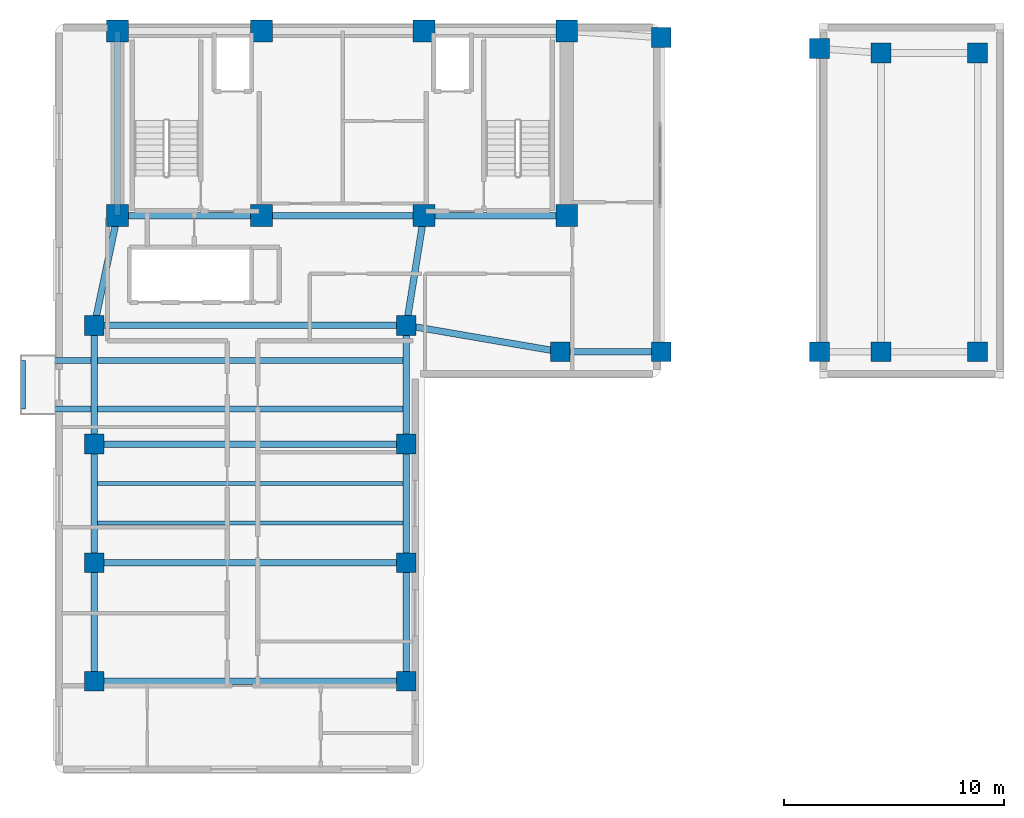
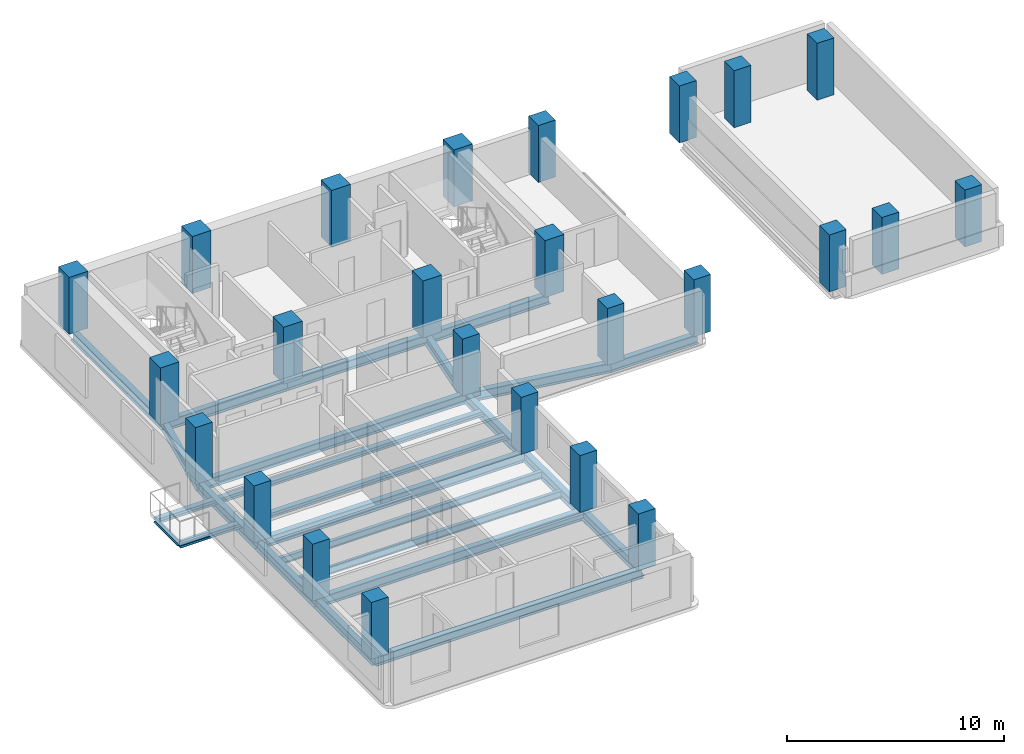
# One storey, part 1 of 10: 25 columns, 23 beams.
"""IFC4 building model written with IfcOpenShell, lengths in metres."""

import ifcopenshell
import ifcopenshell.guid

model = None  # the IFC model being written
_history = None  # IfcOwnerHistory: only IFC2X3 demands one
_inside = {}  # id of a spatial element -> (the spatial element, [elements in it])
_under = {}  # id of a project, library or spatial element -> (it, [spatial elements below it])
_declared = {}  # id of a project -> (the project, [libraries it declares])
_typed = {}  # id of a type object -> (the type object, [elements of that type])
_made_of = {}  # id of a material, layer set ... -> (it, [elements and type objects made of it])


def new_model(schema):
    """Start an empty IFC model of exactly this schema.

    Asked for "IFC4X3", IfcOpenShell would pick the latest addendum, in which some entities
    have other attributes; the version numbers below select the first issue.
    IFC2X3 requires an IfcOwnerHistory on every rooted entity: one is made here for all.
    """
    global model, _history
    if schema == "IFC4X3":
        model = ifcopenshell.file(schema_version=(4, 3, 0, 0))
    else:
        model = ifcopenshell.file(schema=schema)
    _inside.clear()
    _under.clear()
    _declared.clear()
    _typed.clear()
    _made_of.clear()
    _history = None
    if model.schema == "IFC2X3":
        org = make("IfcOrganization", Name="unknown")
        user = make(
            "IfcPersonAndOrganization",
            ThePerson=make("IfcPerson", FamilyName="unknown"),
            TheOrganization=org,
        )
        app = make(
            "IfcApplication",
            ApplicationDeveloper=org,
            Version="unknown",
            ApplicationFullName="unknown",
            ApplicationIdentifier="unknown",
        )
        _history = make(
            "IfcOwnerHistory",
            OwningUser=user,
            OwningApplication=app,
            ChangeAction="ADDED",
            CreationDate=0,
        )
    return model


def make(cls, **values):
    """One entity of the class cls with the attributes given. An attribute that is None is left unset."""
    return model.create_entity(
        cls, **{name: value for name, value in values.items() if value is not None}
    )


def rooted(cls, **values):
    """An entity with a GlobalId (a new one), such as an element, a storey or a relation."""
    return make(cls, GlobalId=ifcopenshell.guid.new(), OwnerHistory=_history, **values)


def si_unit(unit_type, name, prefix=None):
    """IfcSIUnit, for example si_unit("LENGTHUNIT", "METRE", prefix="MILLI")."""
    return make("IfcSIUnit", UnitType=unit_type, Prefix=prefix, Name=name)


def assignment(units):
    """IfcUnitAssignment: the units of a project."""
    return None if units is None else make("IfcUnitAssignment", Units=units)


def point(xyz):
    """IfcCartesianPoint."""
    return None if xyz is None else make("IfcCartesianPoint", Coordinates=xyz)


def direction(xyz):
    """IfcDirection."""
    return None if xyz is None else make("IfcDirection", DirectionRatios=xyz)


def frame(location, z_axis=None, x_axis=None):
    """IfcAxis2Placement3D, a coordinate frame: its origin and axes. An axis left out is left unset."""
    return make(
        "IfcAxis2Placement3D",
        Location=point(location),
        Axis=direction(z_axis),
        RefDirection=direction(x_axis),
    )


def frame_2d(location, x_axis=None):
    """IfcAxis2Placement2D, a coordinate frame in the plane: its origin and x axis."""
    return make(
        "IfcAxis2Placement2D", Location=point(location), RefDirection=direction(x_axis)
    )


def origin():
    """The frame at (0, 0, 0) with its axes left unset."""
    return frame((0.0, 0.0, 0.0))


def origin_2d():
    """The frame at (0, 0) in the plane with its x axis left unset."""
    return frame_2d((0.0, 0.0))


def place(relative_to, where):
    """IfcLocalPlacement: puts the frame where relative to a parent placement (None: the world)."""
    return make(
        "IfcLocalPlacement", PlacementRelTo=relative_to, RelativePlacement=where
    )


def context(
    kind, dimensions, precision=None, world=None, true_north=None, identifier=None
):
    """IfcGeometricRepresentationContext, for example the 3D "Model" context."""
    return make(
        "IfcGeometricRepresentationContext",
        ContextIdentifier=identifier,
        ContextType=kind,
        CoordinateSpaceDimension=dimensions,
        Precision=precision,
        WorldCoordinateSystem=world,
        TrueNorth=true_north,
    )


def subcontext(parent, identifier, kind, view, scale=None):
    """IfcGeometricRepresentationSubContext, for example "Body" below "Model"."""
    return make(
        "IfcGeometricRepresentationSubContext",
        ContextIdentifier=identifier,
        ContextType=kind,
        ParentContext=parent,
        TargetScale=scale,
        TargetView=view,
    )


def project(units=None, contexts=None):
    """IfcProject with its units and contexts."""
    return rooted(
        "IfcProject",
        Name="project",
        RepresentationContexts=contexts,
        UnitsInContext=assignment(units),
    )


def spatial(cls, under=None, at=None, **own):
    """A site, building, storey or space (cls), placed at a placement, below another one or the project."""
    s = rooted(cls, ObjectPlacement=at, **own)
    if under is not None:
        _under.setdefault(under.id(), (under, []))[1].append(s)
    return s


def profile(cls, at=None, kind="AREA", **sizes):
    """A parametric profile (cls). Its sizes go by their IFC names, for example OverallWidth=200.0."""
    return make(cls, ProfileType=kind, Position=at, **sizes)


def rectangle(**sizes):
    """IfcRectangleProfileDef."""
    return profile("IfcRectangleProfileDef", **sizes)


def i_section(**sizes):
    """IfcIShapeProfileDef."""
    return profile("IfcIShapeProfileDef", **sizes)


def extrude(swept, where, along, depth):
    """IfcExtrudedAreaSolid: the profile swept, set in the frame where, extruded along a direction by depth."""
    return make(
        "IfcExtrudedAreaSolid",
        SweptArea=swept,
        Position=where,
        ExtrudedDirection=direction(along),
        Depth=depth,
    )


def shape(context_of_items, identifier, shape_type, items):
    """IfcShapeRepresentation: the items that make up one representation, for example the "Body"."""
    return make(
        "IfcShapeRepresentation",
        ContextOfItems=context_of_items,
        RepresentationIdentifier=identifier,
        RepresentationType=shape_type,
        Items=items,
    )


def material(Name=None, Category=None):
    """IfcMaterial."""
    return make("IfcMaterial", Name=Name, Category=Category)


def material_profile(
    of_material, cross_section, Name=None, Category=None, Priority=None
):
    """IfcMaterialProfile: a cross section and its material."""
    return make(
        "IfcMaterialProfile",
        Name=Name,
        Material=of_material,
        Profile=cross_section,
        Priority=Priority,
        Category=Category,
    )


def profile_set(profiles, Name=None, composite=None):
    """IfcMaterialProfileSet."""
    return make(
        "IfcMaterialProfileSet",
        Name=Name,
        MaterialProfiles=profiles,
        CompositeProfile=composite,
    )


def made_of(thing, what):
    """Note that an element or type object is made of a material, layer set ...; save() writes the relation."""
    if what is not None:
        _made_of.setdefault(what.id(), (what, []))[1].append(thing)
    return thing


def type_object(cls, material=None, **own):
    """A type object (cls), such as IfcWallType, which elements share."""
    return made_of(rooted(cls, **own), material)


def element(
    cls,
    number,
    at=None,
    inside=None,
    cuts=None,
    type_object=None,
    material=None,
    context=None,
    identifier="Body",
    shape_type=None,
    held_by="IfcProductDefinitionShape",
    body=None,
    shapes=None,
    **own,
):
    """One element of the class cls, such as IfcWall. Its Tag is "e" and its number.

    at: its placement. inside: the storey or other place that contains it. cuts: it is an
    opening in that element (IfcRelVoidsElement). A single representation is given by context,
    identifier, shape_type and body (its items); several are given by shapes. held_by: the class
    of the entity that holds the representations. save() writes the other relations.
    """
    e = rooted(cls, Tag="e%d" % number, ObjectPlacement=at, **own)
    if body is not None:
        shapes = [shape(context, identifier, shape_type, body)]
    if shapes is not None:
        e.Representation = make(held_by, Representations=shapes)
    if inside is not None:
        _inside.setdefault(inside.id(), (inside, []))[1].append(e)
    if cuts is not None:
        rooted(
            "IfcRelVoidsElement", RelatingBuildingElement=cuts, RelatedOpeningElement=e
        )
    if type_object is not None:
        _typed.setdefault(type_object.id(), (type_object, []))[1].append(e)
    return made_of(e, material)


def aggregate(whole, parts):
    """IfcRelAggregates: a whole, such as a stair, and the parts it consists of."""
    return rooted("IfcRelAggregates", RelatingObject=whole, RelatedObjects=parts)


def save(model, path):
    """Write the relations noted so far, then the file.

    IfcRelAggregates (storeys below a building ...), IfcRelContainedInSpatialStructure (elements
    in a storey), IfcRelDefinesByType, IfcRelAssociatesMaterial and IfcRelDeclares: one each for
    every whole, place, type object, material and project.
    """
    for whole, parts in _under.values():
        aggregate(whole, parts)
    for where, things in _inside.values():
        rooted(
            "IfcRelContainedInSpatialStructure",
            RelatedElements=things,
            RelatingStructure=where,
        )
    for kind, things in _typed.values():
        rooted("IfcRelDefinesByType", RelatedObjects=things, RelatingType=kind)
    for what, things in _made_of.values():
        rooted("IfcRelAssociatesMaterial", RelatedObjects=things, RelatingMaterial=what)
    for by, libraries in _declared.values():
        rooted("IfcRelDeclares", RelatingContext=by, RelatedDefinitions=libraries)
    model.write(path)


model = new_model("IFC4")

# Units and contexts
model_context = context("Model", 3, precision=1e-05, world=origin(), true_north=direction((0.0, 1.0)))
body_context = subcontext(model_context, "Body", "Model", "MODEL_VIEW")
ifc_project = project(units=[si_unit("LENGTHUNIT", "METRE"), si_unit("AREAUNIT", "SQUARE_METRE"), si_unit("VOLUMEUNIT", "CUBIC_METRE"), si_unit("PLANEANGLEUNIT", "RADIAN"), si_unit("MASSUNIT", "GRAM", prefix="KILO")], contexts=[model_context])

# Site, building, storey
site_placement = place(None, origin())
site = spatial("IfcSite", under=ifc_project, at=site_placement, CompositionType="ELEMENT")
building_placement = place(site_placement, origin())
building = spatial("IfcBuilding", under=site, at=building_placement, Name="Kuzgunbayir Cultural Tower", CompositionType="ELEMENT")
storey_placement = place(building_placement, frame((0.0, 0.0, 160.0)))
storey = spatial("IfcBuildingStorey", under=building, at=storey_placement, Name="L46", CompositionType="ELEMENT", Elevation=160.0)

# Columns
ifc_material_1 = material(Name="Concrete C50/60", Category="concrete")
ifc_material_profile_1 = material_profile(ifc_material_1, rectangle(XDim=1.0, YDim=1.0, at=origin_2d()), Name="RC 1000x1000")
ifc_profile_set_1 = profile_set([ifc_material_profile_1], Name="Concrete C50/60")
column_type_1 = type_object("IfcColumnType", Name="COL-CORE-1000", PredefinedType="COLUMN", material=ifc_profile_set_1)
for number, where, z_axis, x_axis, name in (
    (1, (6.449951171875, 33.800048828125, 0.0), (0.0, 0.0, 1.0), (1.0, 0.0, 0.0), "L46 T1 Core Boundary Column CC1-1"),
    (2, (13.0, 33.800048828125, 0.0), (0.0, 0.0, 1.0), (1.0, 0.0, 0.0), "L46 T1 Core Boundary Column CC1-2"),
    (3, (20.39990234375, 33.800048828125, 0.0), (0.0, 0.0, 1.0), (1.0, 0.0, 0.0), "L46 T1 Core Boundary Column CC1-3"),
    (4, (26.89990234375, 33.800048828125, 0.0), (0.0, 0.0, 1.0), (1.0, 0.0, 0.0), "L46 T1 Core Boundary Column CC1-4"),
    (5, (6.449951171875, 42.199951171875, 0.0), (0.0, 0.0, 1.0), (1.0, 0.0, 0.0), "L46 T1 Core Boundary Column CC1-5"),
    (6, (13.0, 42.199951171875, 0.0), (0.0, 0.0, 1.0), (1.0, 0.0, 0.0), "L46 T1 Core Boundary Column CC1-6"),
    (7, (20.39990234375, 42.199951171875, 0.0), (0.0, 0.0, 1.0), (1.0, 0.0, 0.0), "L46 T1 Core Boundary Column CC1-7"),
    (8, (26.89990234375, 42.199951171875, 0.0), (0.0, 0.0, 1.0), (1.0, 0.0, 0.0), "L46 T1 Core Boundary Column CC1-8"),
):
    element("IfcColumn", number, at=place(storey_placement, frame(where, z_axis=z_axis, x_axis=x_axis)), inside=storey, type_object=column_type_1, Name=name, PredefinedType="COLUMN", context=body_context, shape_type="SweptSolid", body=[
        extrude(rectangle(XDim=1.0, YDim=1.0, at=origin_2d()), origin(), (0.0, 0.0, 1.0), 3.199951171875),
    ])
ifc_material_profile_2 = material_profile(ifc_material_1, rectangle(XDim=0.89990234375, YDim=0.89990234375, at=origin_2d()), Name="RC 900x900")
ifc_profile_set_2 = profile_set([ifc_material_profile_2], Name="Concrete C50/60")
column_type_2 = type_object("IfcColumnType", Name="COL-T1-900", PredefinedType="COLUMN", material=ifc_profile_set_2)
for number, where, z_axis, x_axis, name in (
    (9, (5.39990234375, 12.60009765625, 0.0), (0.0, 0.0, 1.0), (1.0, 0.0, 0.0), "L46 Tower 1 Wing A Column T1A-W-1"),
    (10, (19.60009765625, 12.60009765625, 0.0), (0.0, 0.0, 1.0), (1.0, 0.0, 0.0), "L46 Tower 1 Wing A Column T1A-E-1"),
    (11, (5.39990234375, 18.0, 0.0), (0.0, 0.0, 1.0), (1.0, 0.0, 0.0), "L46 Tower 1 Wing A Column T1A-W-2"),
    (12, (19.60009765625, 18.0, 0.0), (0.0, 0.0, 1.0), (1.0, 0.0, 0.0), "L46 Tower 1 Wing A Column T1A-E-2"),
    (13, (5.39990234375, 23.39990234375, 0.0), (0.0, 0.0, 1.0), (1.0, 0.0, 0.0), "L46 Tower 1 Wing A Column T1A-W-3"),
    (14, (19.60009765625, 23.39990234375, 0.0), (0.0, 0.0, 1.0), (1.0, 0.0, 0.0), "L46 Tower 1 Wing A Column T1A-E-3"),
    (15, (5.39990234375, 28.800048828125, 0.0), (0.0, 0.0, 1.0), (1.0, 0.0, 0.0), "L46 Tower 1 Wing A Column T1A-W-4"),
    (16, (19.60009765625, 28.800048828125, 0.0), (0.0, 0.0, 1.0), (1.0, 0.0, 0.0), "L46 Tower 1 Wing A Column T1A-E-4"),
    (17, (26.60009765625, 27.60009765625, 0.0), (0.0, 0.0, 1.0), (1.0, 0.0, 0.0), "L46 Tower 1 Wing B Column T1B-1-1"),
    (18, (31.199951171875, 27.60009765625, 0.0), (0.0, 0.0, 1.0), (1.0, 0.0, 0.0), "L46 Tower 1 Wing B Column T1B-2-1"),
    (19, (31.199951171875, 41.89990234375, 0.0), (0.0, 0.0, 1.0), (1.0, 0.0, 0.0), "L46 Tower 1 Wing B Column T1B-2-2"),
    (20, (38.39990234375, 27.60009765625, 0.0), (0.0, 0.0, 1.0), (1.0, 0.0, 0.0), "L46 Tower 1 Wing B Column T1B-3-1"),
    (21, (38.39990234375, 41.39990234375, 0.0), (0.0, 0.0, 1.0), (1.0, 0.0, 0.0), "L46 Tower 1 Wing B Column T1B-3-2"),
    (22, (41.199951171875, 27.60009765625, 0.0), (0.0, 0.0, 1.0), (1.0, 0.0, 0.0), "L46 Tower 1 Wing B Column T1B-4-1"),
    (23, (41.199951171875, 41.199951171875, 0.0), (0.0, 0.0, 1.0), (1.0, 0.0, 0.0), "L46 Tower 1 Wing B Column T1B-4-2"),
    (24, (45.60009765625, 27.60009765625, 0.0), (0.0, 0.0, 1.0), (1.0, 0.0, 0.0), "L46 Tower 1 Wing B Column T1B-5-1"),
    (25, (45.60009765625, 41.199951171875, 0.0), (0.0, 0.0, 1.0), (1.0, 0.0, 0.0), "L46 Tower 1 Wing B Column T1B-5-2"),
):
    element("IfcColumn", number, at=place(storey_placement, frame(where, z_axis=z_axis, x_axis=x_axis)), inside=storey, type_object=column_type_2, Name=name, PredefinedType="COLUMN", context=body_context, shape_type="SweptSolid", body=[
        extrude(rectangle(XDim=0.89990234375, YDim=0.89990234375, at=origin_2d()), origin(), (0.0, 0.0, 1.0), 3.199951171875),
    ])

# Beams
ifc_material_2 = material(Name="Steel S355J2", Category="steel")
ifc_material_profile_3 = material_profile(ifc_material_2, i_section(OverallWidth=0.280029296875, OverallDepth=0.280029296875, WebThickness=0.010498046875, FlangeThickness=0.01806640625, FilletRadius=0.02392578125, at=origin_2d()), Name="HEB 280")
ifc_profile_set_3 = profile_set([ifc_material_profile_3], Name="Steel S355J2")
beam_type_1 = type_object("IfcBeamType", Name="BM-BAL-HEB280", PredefinedType="BEAM", material=ifc_profile_set_3)
for number, where, z_axis, x_axis, name in (
    (26, (2.159912109375, 25.0, -0.340087890625), (1.0, 0.0, 0.0), (0.0, 1.0, 0.0), "L46 Balcony Outrigger Beam BAL-L46-WA3.1"),
    (27, (2.159912109375, 27.199951171875, -0.340087890625), (1.0, 0.0, 0.0), (0.0, 1.0, 0.0), "L46 Balcony Outrigger Beam BAL-L46-WA3.2"),
):
    element("IfcBeam", number, at=place(storey_placement, frame(where, z_axis=z_axis, x_axis=x_axis)), inside=storey, type_object=beam_type_1, Name=name, PredefinedType="BEAM", context=body_context, shape_type="SweptSolid", body=[
        extrude(i_section(OverallWidth=0.280029296875, OverallDepth=0.280029296875, WebThickness=0.010498046875, FlangeThickness=0.01806640625, FilletRadius=0.02392578125, at=origin_2d()), origin(), (0.0, 0.0, 1.0), 17.440185546875),
    ])
ifc_material_profile_4 = material_profile(ifc_material_2, i_section(OverallWidth=0.199951171875, OverallDepth=0.199951171875, WebThickness=0.009033203125, FlangeThickness=0.014892578125, FilletRadius=0.01806640625, at=origin_2d()), Name="HEB 200")
ifc_profile_set_4 = profile_set([ifc_material_profile_4], Name="Steel S355J2")
beam_type_2 = type_object("IfcBeamType", Name="BM-CAN-HEB200", PredefinedType="BEAM", material=ifc_profile_set_4)
beam_1_placement = place(storey_placement, frame((2.159912109375, 25.0, -0.300048828125), z_axis=(0.0, 1.0, 0.0), x_axis=(-1.0, 0.0, 0.0)))
element("IfcBeam", 28, at=beam_1_placement, inside=storey, type_object=beam_type_2, Name="L46 Balcony Edge Header BAL-L46-WA3", PredefinedType="BEAM", context=body_context, shape_type="SweptSolid", body=[
    extrude(i_section(OverallWidth=0.199951171875, OverallDepth=0.199951171875, WebThickness=0.009033203125, FlangeThickness=0.014892578125, FilletRadius=0.01806640625, at=origin_2d()), origin(), (0.0, 0.0, 1.0), 2.199951171875),
])
ifc_material_profile_5 = material_profile(ifc_material_2, i_section(OverallWidth=0.300048828125, OverallDepth=0.550048828125, WebThickness=0.014892578125, FlangeThickness=0.029052734375, FilletRadius=0.027099609375, at=origin_2d()), Name="HEB 550")
ifc_profile_set_5 = profile_set([ifc_material_profile_5], Name="Steel S355J2")
beam_type_3 = type_object("IfcBeamType", Name="BM-EXT-HEB550", PredefinedType="BEAM", material=ifc_profile_set_5)
for number, where, z_axis, x_axis, name in (
    (29, (5.39990234375, 12.60009765625, -0.4599609375), (0.0, 1.0, 0.0), (-1.0, 0.0, 0.0), "L46 Wing A West Girder 1"),
    (30, (19.60009765625, 12.60009765625, -0.4599609375), (0.0, 1.0, 0.0), (-1.0, 0.0, 0.0), "L46 Wing A East Girder 1"),
    (31, (5.39990234375, 18.0, -0.4599609375), (0.0, 1.0, 0.0), (-1.0, 0.0, 0.0), "L46 Wing A West Girder 2"),
    (32, (19.60009765625, 18.0, -0.4599609375), (0.0, 1.0, 0.0), (-1.0, 0.0, 0.0), "L46 Wing A East Girder 2"),
):
    element("IfcBeam", number, at=place(storey_placement, frame(where, z_axis=z_axis, x_axis=x_axis)), inside=storey, type_object=beam_type_3, Name=name, PredefinedType="BEAM", context=body_context, shape_type="SweptSolid", body=[
        extrude(i_section(OverallWidth=0.300048828125, OverallDepth=0.550048828125, WebThickness=0.014892578125, FlangeThickness=0.029052734375, FilletRadius=0.027099609375, at=origin_2d()), origin(), (0.0, 0.0, 1.0), 5.39990234375),
    ])
for number, where, z_axis, x_axis, name in (
    (33, (5.39990234375, 23.39990234375, -0.4599609375), (0.0, 1.0, 0.0), (-1.0, 0.0, 0.0), "L46 Wing A West Girder 3"),
    (34, (19.60009765625, 23.39990234375, -0.4599609375), (0.0, 1.0, 0.0), (-1.0, 0.0, 0.0), "L46 Wing A East Girder 3"),
):
    element("IfcBeam", number, at=place(storey_placement, frame(where, z_axis=z_axis, x_axis=x_axis)), inside=storey, type_object=beam_type_3, Name=name, PredefinedType="BEAM", context=body_context, shape_type="SweptSolid", body=[
        extrude(i_section(OverallWidth=0.300048828125, OverallDepth=0.550048828125, WebThickness=0.014892578125, FlangeThickness=0.029052734375, FilletRadius=0.027099609375, at=origin_2d()), origin(), (0.0, 0.0, 1.0), 5.400146484375),
    ])
beam_2_placement = place(storey_placement, frame((26.60009765625, 27.60009765625, -0.4599609375), z_axis=(1.0, 0.0, 0.0), x_axis=(0.0, 1.0, 0.0)))
element("IfcBeam", 35, at=beam_2_placement, inside=storey, type_object=beam_type_3, Name="L46 Wing B South Girder", PredefinedType="BEAM", context=body_context, shape_type="SweptSolid", body=[
    extrude(i_section(OverallWidth=0.300048828125, OverallDepth=0.550048828125, WebThickness=0.014892578125, FlangeThickness=0.029052734375, FilletRadius=0.027099609375, at=origin_2d()), origin(), (0.0, 0.0, 1.0), 4.599853515625),
])
ifc_material_profile_6 = material_profile(ifc_material_2, i_section(OverallWidth=0.300048828125, OverallDepth=0.550048828125, WebThickness=0.014892578125, FlangeThickness=0.029052734375, FilletRadius=0.027099609375, at=origin_2d()), Name="HEB 550")
ifc_profile_set_6 = profile_set([ifc_material_profile_6], Name="Steel S355J2")
beam_type_4 = type_object("IfcBeamType", Name="BM-GIR-HEB550", PredefinedType="BEAM", material=ifc_profile_set_6)
beam_3_placement = place(storey_placement, frame((6.449951171875, 33.800048828125, -0.4599609375), z_axis=(1.0, 0.0, 0.0), x_axis=(0.0, 1.0, 0.0)))
element("IfcBeam", 36, at=beam_3_placement, inside=storey, type_object=beam_type_4, Name="L46 Core South Girder 1", PredefinedType="BEAM", context=body_context, shape_type="SweptSolid", body=[
    extrude(i_section(OverallWidth=0.300048828125, OverallDepth=0.550048828125, WebThickness=0.014892578125, FlangeThickness=0.029052734375, FilletRadius=0.027099609375, at=origin_2d()), origin(), (0.0, 0.0, 1.0), 6.550048828125),
])
beam_4_placement = place(storey_placement, frame((13.0, 33.800048828125, -0.4599609375), z_axis=(1.0, 0.0, 0.0), x_axis=(0.0, 1.0, 0.0)))
element("IfcBeam", 37, at=beam_4_placement, inside=storey, type_object=beam_type_4, Name="L46 Core South Girder 2", PredefinedType="BEAM", context=body_context, shape_type="SweptSolid", body=[
    extrude(i_section(OverallWidth=0.300048828125, OverallDepth=0.550048828125, WebThickness=0.014892578125, FlangeThickness=0.029052734375, FilletRadius=0.027099609375, at=origin_2d()), origin(), (0.0, 0.0, 1.0), 7.39990234375),
])
beam_5_placement = place(storey_placement, frame((20.39990234375, 33.800048828125, -0.4599609375), z_axis=(1.0, 0.0, 0.0), x_axis=(0.0, 1.0, 0.0)))
element("IfcBeam", 38, at=beam_5_placement, inside=storey, type_object=beam_type_4, Name="L46 Core South Girder 3", PredefinedType="BEAM", context=body_context, shape_type="SweptSolid", body=[
    extrude(i_section(OverallWidth=0.300048828125, OverallDepth=0.550048828125, WebThickness=0.014892578125, FlangeThickness=0.029052734375, FilletRadius=0.027099609375, at=origin_2d()), origin(), (0.0, 0.0, 1.0), 6.5),
])
beam_6_placement = place(storey_placement, frame((6.449951171875, 33.800048828125, -0.4599609375), z_axis=(0.0, 1.0, 0.0), x_axis=(-1.0, 0.0, 0.0)))
element("IfcBeam", 39, at=beam_6_placement, inside=storey, type_object=beam_type_4, Name="L46 Core West Edge Girder", PredefinedType="BEAM", context=body_context, shape_type="SweptSolid", body=[
    extrude(i_section(OverallWidth=0.300048828125, OverallDepth=0.550048828125, WebThickness=0.014892578125, FlangeThickness=0.029052734375, FilletRadius=0.027099609375, at=origin_2d()), origin(), (0.0, 0.0, 1.0), 8.39990234375),
])
for number, where, z_axis, x_axis, name in (
    (40, (5.39990234375, 12.60009765625, -0.4599609375), (1.0, 0.0, 0.0), (0.0, 1.0, 0.0), "L46 Wing A Transverse Girder 1"),
    (41, (5.39990234375, 18.0, -0.4599609375), (1.0, 0.0, 0.0), (0.0, 1.0, 0.0), "L46 Wing A Transverse Girder 2"),
    (42, (5.39990234375, 23.39990234375, -0.4599609375), (1.0, 0.0, 0.0), (0.0, 1.0, 0.0), "L46 Wing A Transverse Girder 3"),
    (43, (5.39990234375, 28.800048828125, -0.4599609375), (1.0, 0.0, 0.0), (0.0, 1.0, 0.0), "L46 Wing A Transverse Girder 4"),
):
    element("IfcBeam", number, at=place(storey_placement, frame(where, z_axis=z_axis, x_axis=x_axis)), inside=storey, type_object=beam_type_4, Name=name, PredefinedType="BEAM", context=body_context, shape_type="SweptSolid", body=[
        extrude(i_section(OverallWidth=0.300048828125, OverallDepth=0.550048828125, WebThickness=0.014892578125, FlangeThickness=0.029052734375, FilletRadius=0.027099609375, at=origin_2d()), origin(), (0.0, 0.0, 1.0), 14.2001953125),
    ])
beam_7_placement = place(storey_placement, frame((5.39990234375, 28.800048828125, -0.4599609375), z_axis=(0.205526387753, 0.978651574329, 0.0), x_axis=(-0.978651574329, 0.205526387753, 0.0)))
element("IfcBeam", 44, at=beam_7_placement, inside=storey, type_object=beam_type_4, Name="L46 Wing A West Core Floor Girder", PredefinedType="BEAM", context=body_context, shape_type="SweptSolid", body=[
    extrude(i_section(OverallWidth=0.300048828125, OverallDepth=0.550048828125, WebThickness=0.014892578125, FlangeThickness=0.029052734375, FilletRadius=0.027099609375, at=origin_2d()), origin(), (0.0, 0.0, 1.0), 5.109130859375),
])
beam_8_placement = place(storey_placement, frame((19.60009765625, 28.800048828125, -0.4599609375), z_axis=(0.157952891656, 0.987446648694, 0.0), x_axis=(-0.987446648694, 0.157952891656, 0.0)))
element("IfcBeam", 45, at=beam_8_placement, inside=storey, type_object=beam_type_4, Name="L46 Wing A East Core Floor Girder", PredefinedType="BEAM", context=body_context, shape_type="SweptSolid", body=[
    extrude(i_section(OverallWidth=0.300048828125, OverallDepth=0.550048828125, WebThickness=0.014892578125, FlangeThickness=0.029052734375, FilletRadius=0.027099609375, at=origin_2d()), origin(), (0.0, 0.0, 1.0), 5.0634765625),
])
beam_9_placement = place(storey_placement, frame((19.60009765625, 28.800048828125, -0.4599609375), z_axis=(0.985623399742, -0.168957136221, 0.0), x_axis=(0.168957136221, 0.985623399742, 0.0)))
element("IfcBeam", 46, at=beam_9_placement, inside=storey, type_object=beam_type_4, Name="L46 Wing B Waist Tie", PredefinedType="BEAM", context=body_context, shape_type="SweptSolid", body=[
    extrude(i_section(OverallWidth=0.300048828125, OverallDepth=0.550048828125, WebThickness=0.014892578125, FlangeThickness=0.029052734375, FilletRadius=0.027099609375, at=origin_2d()), origin(), (0.0, 0.0, 1.0), 7.10205078125),
])
ifc_material_profile_7 = material_profile(ifc_material_2, i_section(OverallWidth=0.179931640625, OverallDepth=0.39990234375, WebThickness=0.008544921875, FlangeThickness=0.013427734375, FilletRadius=0.02099609375, at=origin_2d()), Name="IPE 400")
ifc_profile_set_7 = profile_set([ifc_material_profile_7], Name="Steel S355J2")
beam_type_5 = type_object("IfcBeamType", Name="BM-JST-IPE400", PredefinedType="JOIST", material=ifc_profile_set_7)
for number, where, z_axis, x_axis, name in (
    (47, (5.550048828125, 19.800048828125, -0.3798828125), (1.0, 0.0, 0.0), (0.0, 1.0, 0.0), "L46 Wing A Secondary Joist 3"),
    (48, (5.550048828125, 21.60009765625, -0.3798828125), (1.0, 0.0, 0.0), (0.0, 1.0, 0.0), "L46 Wing A Secondary Joist 4"),
):
    element("IfcBeam", number, at=place(storey_placement, frame(where, z_axis=z_axis, x_axis=x_axis)), inside=storey, type_object=beam_type_5, Name=name, PredefinedType="JOIST", context=body_context, shape_type="SweptSolid", body=[
        extrude(i_section(OverallWidth=0.179931640625, OverallDepth=0.39990234375, WebThickness=0.008544921875, FlangeThickness=0.013427734375, FilletRadius=0.02099609375, at=origin_2d()), origin(), (0.0, 0.0, 1.0), 13.89990234375),
    ])

save(model, "model.ifc")
